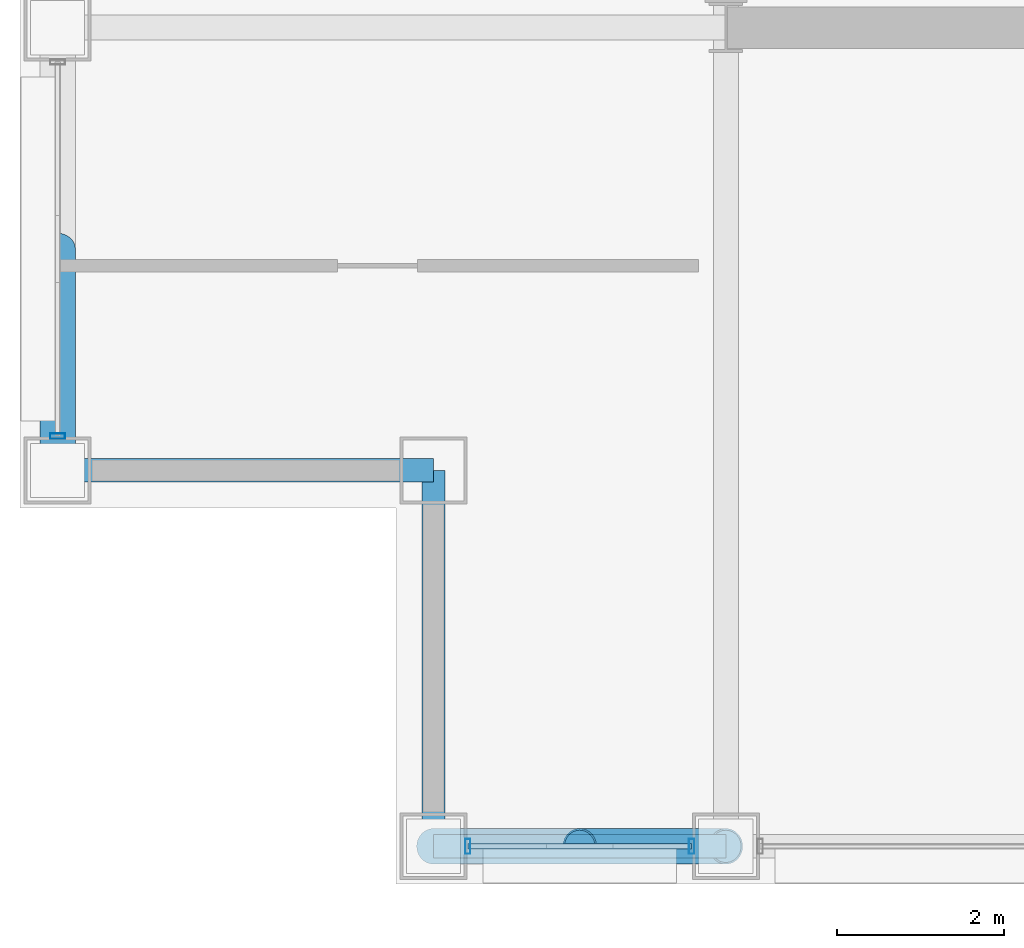
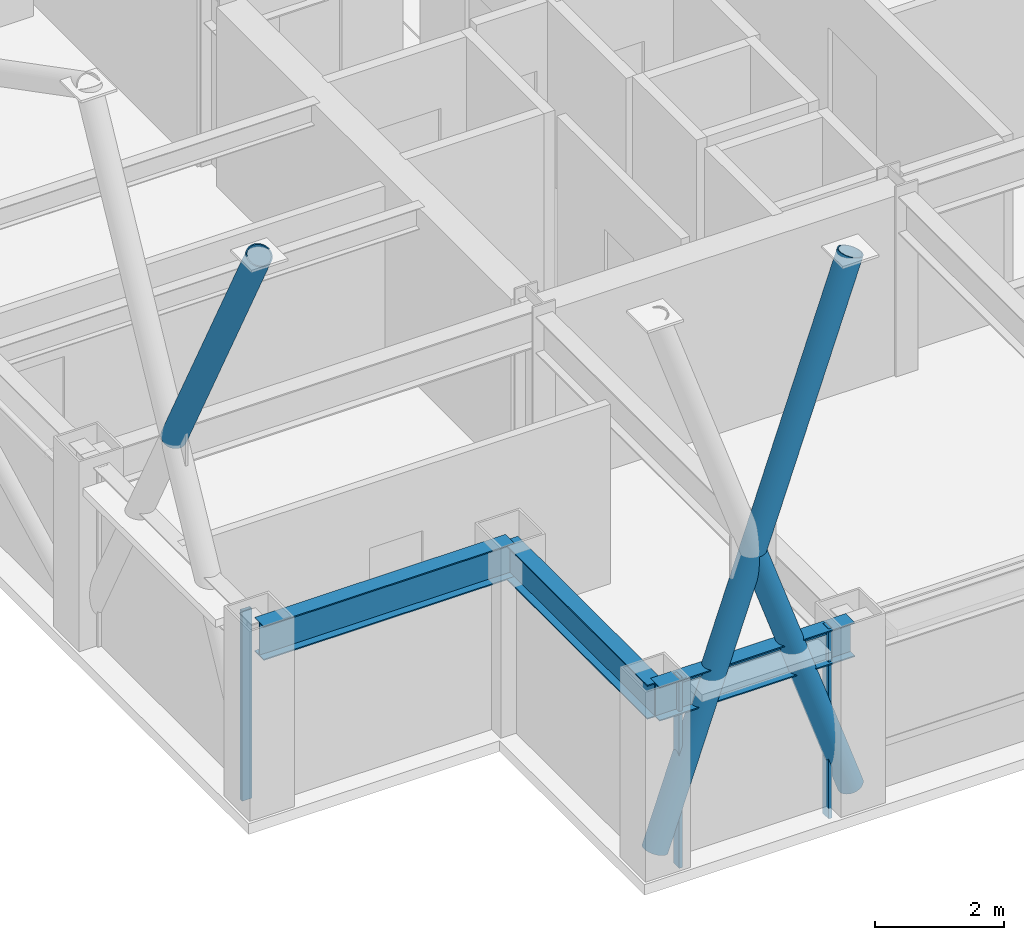
# One storey, part 2 of 33: 7 members, 3 beams, 2 elements without a shape of their own.
"""IFC4 building model written with IfcOpenShell, lengths in metres."""

from ifc_helpers import new_model, si_unit, direction, frame, origin, origin_2d, place, context, subcontext, project, spatial, hollow_rectangle, hollow_circle, i_section, extrude, material, layer, layer_set, material_profile, profile_set, type_object, element, aggregate, save


model = new_model("IFC4")

# Units and contexts
model_context = context("Model", 3, precision=1e-05, world=origin(), true_north=direction((0.0, 1.0)))
body_context = subcontext(model_context, "Body", "Model", "MODEL_VIEW")
ifc_project = project(units=[si_unit("LENGTHUNIT", "METRE"), si_unit("AREAUNIT", "SQUARE_METRE"), si_unit("VOLUMEUNIT", "CUBIC_METRE"), si_unit("PLANEANGLEUNIT", "RADIAN"), si_unit("MASSUNIT", "GRAM", prefix="KILO")], contexts=[model_context])

# Site, building, storey
site_placement = place(None, origin())
site = spatial("IfcSite", under=ifc_project, at=site_placement, CompositionType="ELEMENT")
building_placement = place(site_placement, origin())
building = spatial("IfcBuilding", under=site, at=building_placement, Name="Brelmoor Portico Tower", CompositionType="ELEMENT")
storey_placement = place(building_placement, frame((0.0, 0.0, 120.60009765625)))
storey = spatial("IfcBuildingStorey", under=building, at=storey_placement, Name="L31", CompositionType="ELEMENT", Elevation=120.60009765625)

# Beams
ifc_material_1 = material(Name="Steel Q355B", Category="steel")
ifc_material_profile_1 = material_profile(ifc_material_1, i_section(OverallWidth=0.280029296875, OverallDepth=0.64990234375, WebThickness=0.012939453125, FlangeThickness=0.02197265625, at=origin_2d()), Name="HN 650x280x13x22")
ifc_profile_set_1 = profile_set([ifc_material_profile_1], Name="Steel Q355B")
beam_type = type_object("IfcBeamType", Name="BM-SP-650", PredefinedType="SPANDREL", material=ifc_profile_set_1)
beam_placement = place(storey_placement, frame((-18.050048828125, -19.550048828125, 3.074951171875), z_axis=(1.0, 0.0, 0.0), x_axis=(0.0, 1.0, 0.0)))
element("IfcBeam", 1, at=beam_placement, inside=storey, type_object=beam_type, Name="L31 Perimeter Spandrel Beam SP-01", PredefinedType="SPANDREL", context=body_context, shape_type="SweptSolid", body=[
    extrude(i_section(OverallWidth=0.280029296875, OverallDepth=0.64990234375, WebThickness=0.012939453125, FlangeThickness=0.02197265625, at=origin_2d()), origin(), (0.0, 0.0, 1.0), 3.5),
])
for number, where, z_axis, x_axis, name in (
    (2, (-22.550048828125, -15.050048828125, 3.074951171875), (1.0, 0.0, 0.0), (0.0, 1.0, 0.0), "L31 Perimeter Spandrel Beam SP-06"),
    (3, (-18.050048828125, -19.550048828125, 3.074951171875), (0.0, 1.0, 0.0), (-1.0, 0.0, 0.0), "L31 Perimeter Spandrel Beam SP-18"),
):
    element("IfcBeam", number, at=place(storey_placement, frame(where, z_axis=z_axis, x_axis=x_axis)), inside=storey, type_object=beam_type, Name=name, PredefinedType="SPANDREL", context=body_context, shape_type="SweptSolid", body=[
        extrude(i_section(OverallWidth=0.280029296875, OverallDepth=0.64990234375, WebThickness=0.012939453125, FlangeThickness=0.02197265625, at=origin_2d()), origin(), (0.0, 0.0, 1.0), 4.5),
    ])

# Members
ifc_material_profile_2 = material_profile(ifc_material_1, hollow_circle(Radius=0.212890625, WallThickness=0.02001953125, at=origin_2d()), Name="CHS 426x20")
ifc_profile_set_2 = profile_set([ifc_material_profile_2], Name="Steel Q355B")
member_type_1 = type_object("IfcMemberType", Name="MB-BELT-DIAG1", PredefinedType="BRACE", material=ifc_profile_set_2)
member_1_placement = place(storey_placement, frame((-18.050048828125, -19.550048828125, 0.25), z_axis=(0.327436099292, 0.0, 0.944873325309), x_axis=(0.0, 1.0, 0.0)))
element("IfcMember", 4, at=member_1_placement, inside=storey, type_object=member_type_1, Name="L31 Continuous Mega-X Brace 064A", PredefinedType="BRACE", context=body_context, shape_type="SweptSolid", body=[
    extrude(hollow_circle(Radius=0.212890625, WallThickness=0.02001953125, at=origin_2d()), origin(), (0.0, 0.0, 1.0), 10.689208984375),
])
member_2_placement = place(storey_placement, frame((-14.550048828125, -19.550048828125, 0.25), z_axis=(-0.327443165844, 0.0, 0.944870876439), x_axis=(0.0, -1.0, 0.0)))
element("IfcMember", 5, at=member_2_placement, inside=storey, type_object=member_type_1, Name="L31 Split Mega-X Brace 064B1", PredefinedType="BRACE", context=body_context, shape_type="SweptSolid", body=[
    extrude(hollow_circle(Radius=0.212890625, WallThickness=0.02001953125, at=origin_2d()), origin(), (0.0, 0.0, 1.0), 5.344482421875),
])
member_3_placement = place(storey_placement, frame((-22.550048828125, -12.39990234375, 5.2998046875), z_axis=(0.0, -0.464678684729, 0.885479372972), x_axis=(1.0, 0.0, 0.0)))
element("IfcMember", 6, at=member_3_placement, inside=storey, type_object=member_type_1, Name="L31 Split Mega-X Brace 069B2", PredefinedType="BRACE", context=body_context, shape_type="SweptSolid", body=[
    extrude(hollow_circle(Radius=0.212890625, WallThickness=0.02001953125, at=origin_2d()), origin(), (0.0, 0.0, 1.0), 5.703125),
])

# Curtain wall, members
ifc_material_2 = material(Name="Anodised Aluminium Alloy 6063-T6", Category="aluminium")
ifc_layer = layer(ifc_material_2, 0.179931640625)
ifc_layer_set = layer_set([ifc_layer], Name="Anodised Aluminium Alloy 6063-T6")
curtain_wall_type = type_object("IfcCurtainWallType", Name="CW-TOWER-Z2-XB", PredefinedType="NOTDEFINED", material=ifc_layer_set)
curtain_wall_1_placement = place(storey_placement, origin())
curtain_wall_1 = element("IfcCurtainWall", 7, at=curtain_wall_1_placement, inside=storey, type_object=curtain_wall_type, Name="L31 Curtain Wall CW-L31-01-1", PredefinedType="NOTDEFINED")
ifc_material_profile_3 = material_profile(ifc_material_2, hollow_rectangle(XDim=0.06494140625, YDim=0.179931640625, WallThickness=0.00390625, at=origin_2d()), Name="ALU MULLION 65x180")
ifc_profile_set_3 = profile_set([ifc_material_profile_3], Name="Anodised Aluminium Alloy 6063-T6")
member_type_2 = type_object("IfcMemberType", Name="MB-CW-MULL-180", PredefinedType="MULLION", material=ifc_profile_set_3)
member_4_placement = place(storey_placement, frame((-17.639892578125, -19.550048828125, -0.2001953125), z_axis=(0.0, 0.0, 1.0), x_axis=(1.0, 0.0, 0.0)))
member_4 = element("IfcMember", 8, at=member_4_placement, type_object=member_type_2, Name="CW-L31-01-1 Mullion 00", PredefinedType="MULLION", context=body_context, shape_type="SweptSolid", body=[
    extrude(hollow_rectangle(XDim=0.06494140625, YDim=0.179931640625, WallThickness=0.00390625, at=origin_2d()), origin(), (0.0, 0.0, 1.0), 3.60009765625),
])
member_5_placement = place(storey_placement, frame((-14.9599609375, -19.550048828125, -0.2001953125), z_axis=(0.0, 0.0, 1.0), x_axis=(1.0, 0.0, 0.0)))
member_5 = element("IfcMember", 9, at=member_5_placement, type_object=member_type_2, Name="CW-L31-01-1 Mullion 01", PredefinedType="MULLION", context=body_context, shape_type="SweptSolid", body=[
    extrude(hollow_rectangle(XDim=0.06494140625, YDim=0.179931640625, WallThickness=0.00390625, at=origin_2d()), origin(), (0.0, 0.0, 1.0), 3.60009765625),
])

# Curtain wall, member
curtain_wall_2_placement = place(storey_placement, origin())
curtain_wall_2 = element("IfcCurtainWall", 10, at=curtain_wall_2_placement, inside=storey, type_object=curtain_wall_type, Name="L31 Curtain Wall CW-L31-03-1", PredefinedType="NOTDEFINED")
member_6_placement = place(storey_placement, frame((-22.550048828125, -14.639892578125, -0.2001953125), z_axis=(0.0, 0.0, 1.0), x_axis=(0.0, 1.0, 0.0)))
member_6 = element("IfcMember", 11, at=member_6_placement, type_object=member_type_2, Name="CW-L31-03-1 Mullion 00", PredefinedType="MULLION", context=body_context, shape_type="SweptSolid", body=[
    extrude(hollow_rectangle(XDim=0.06494140625, YDim=0.179931640625, WallThickness=0.00390625, at=origin_2d()), origin(), (0.0, 0.0, 1.0), 3.60009765625),
])
aggregate(curtain_wall_2, [member_6])

# Member
ifc_material_profile_4 = material_profile(ifc_material_2, hollow_rectangle(XDim=0.06494140625, YDim=0.139892578125, WallThickness=0.00390625, at=origin_2d()), Name="ALU TRANSOM 65x140")
ifc_profile_set_4 = profile_set([ifc_material_profile_4], Name="Anodised Aluminium Alloy 6063-T6")
member_type_3 = type_object("IfcMemberType", Name="MB-CW-TRAN-140", PredefinedType="USERDEFINED", material=ifc_profile_set_4)
member_7_placement = place(storey_placement, frame((-17.639892578125, -19.550048828125, 3.329833984375), z_axis=(1.0, 0.0, 0.0), x_axis=(0.0, 1.0, 0.0)))
member_7 = element("IfcMember", 12, at=member_7_placement, type_object=member_type_3, Name="CW-L31-01-1 Transom 1-00", ObjectType="TRANSOM", PredefinedType="USERDEFINED", context=body_context, shape_type="SweptSolid", body=[
    extrude(hollow_rectangle(XDim=0.06494140625, YDim=0.139892578125, WallThickness=0.00390625, at=origin_2d()), origin(), (0.0, 0.0, 1.0), 2.679931640625),
])

aggregate(curtain_wall_1, [member_4, member_5, member_7])

save(model, "model.ifc")
